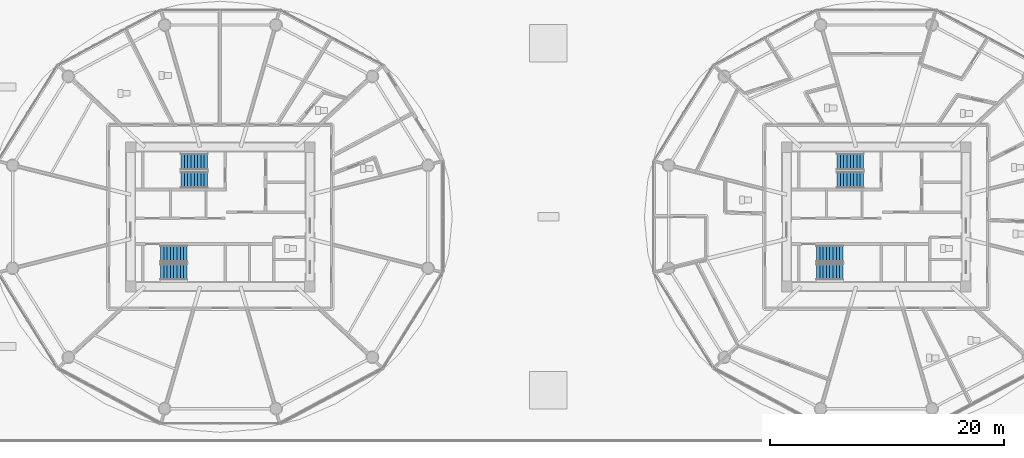
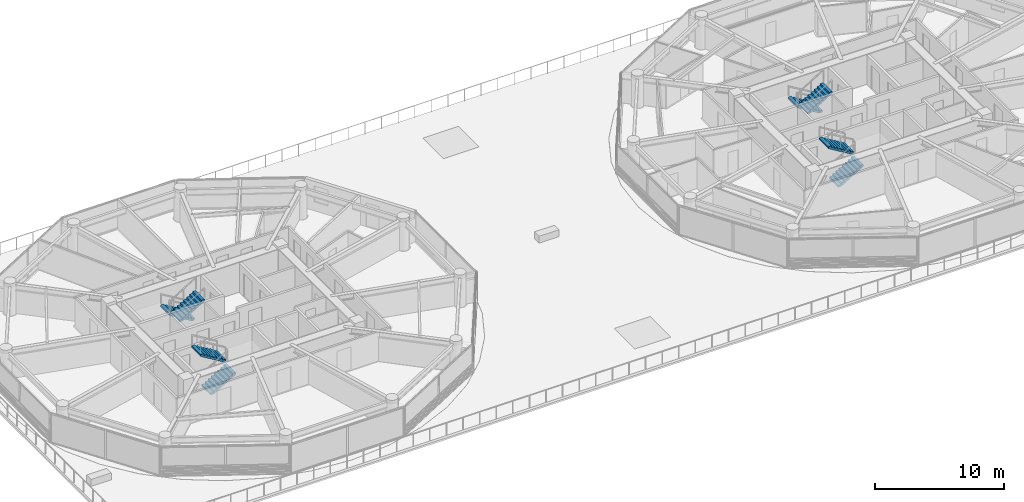
# One storey, part 21 of 32: 8 stair flights, 4 elements without a shape of their own.
"""IFC4 building model written with IfcOpenShell, lengths in metres."""

from ifc_helpers import new_model, si_unit, direction, frame, origin, place, context, subcontext, project, spatial, polyline, outline, extrude, material, type_object, element, aggregate, save


model = new_model("IFC4")

# Units and contexts
model_context = context("Model", 3, precision=1e-05, world=origin(), true_north=direction((0.0, 1.0)))
body_context = subcontext(model_context, "Body", "Model", "MODEL_VIEW")
ifc_project = project(units=[si_unit("LENGTHUNIT", "METRE"), si_unit("AREAUNIT", "SQUARE_METRE"), si_unit("VOLUMEUNIT", "CUBIC_METRE"), si_unit("PLANEANGLEUNIT", "RADIAN"), si_unit("MASSUNIT", "GRAM", prefix="KILO")], contexts=[model_context])

# Site, building, storey
site_placement = place(None, origin())
site = spatial("IfcSite", under=ifc_project, at=site_placement, CompositionType="ELEMENT")
building_placement = place(site_placement, origin())
building = spatial("IfcBuilding", under=site, at=building_placement, Name="Norrkilde Senior Care Towers", CompositionType="ELEMENT")
storey_placement = place(building_placement, frame((0.0, 0.0, 21.60009765625)))
storey = spatial("IfcBuildingStorey", under=building, at=storey_placement, Name="L05", CompositionType="ELEMENT", Elevation=21.60009765625)

# Stair, stair flights
ifc_material = material(Name="Concrete C45/55", Category="concrete")
stair_type = type_object("IfcStairType", Name="Core Protected Dogleg Stair Typical 3050", PredefinedType="HALF_TURN_STAIR", material=ifc_material)
stair_1_placement = place(storey_placement, origin())
stair_1 = element("IfcStair", 1, at=stair_1_placement, inside=storey, type_object=stair_type, Name="L05 Protected Core Stair W1", PredefinedType="HALF_TURN_STAIR")
stair_flight_type = type_object("IfcStairFlightType", Name="Core Protected Dogleg Stair Typical 3050 Flight", PredefinedType="STRAIGHT", material=ifc_material)
stair_flight_1_placement = place(storey_placement, frame((-29.10009765625, 4.699951171875, 0.0), z_axis=(0.0, 0.0, 1.0), x_axis=(-1.0, 0.0, 0.0)))
stair_flight_1 = element("IfcStairFlight", 2, at=stair_flight_1_placement, type_object=stair_flight_type, Name="ST-W1 flight 1", NumberOfRisers=9, NumberOfTreads=8, PredefinedType="STRAIGHT", RiserHeight=0.169444444, TreadLength=0.28, context=body_context, shape_type="SweptSolid", body=[
    extrude(outline(polyline([(0.0, 0.0), (0.0, 0.16943359375), (0.280029296875, 0.16943359375), (0.280029296875, 0.3388671875), (0.56005859375, 0.3388671875), (0.56005859375, 0.50830078125), (0.840087890625, 0.50830078125), (0.840087890625, 0.677734375), (1.1201171875, 0.677734375), (1.1201171875, 0.84716796875), (1.39990234375, 0.84716796875), (1.39990234375, 1.0166015625), (1.679931640625, 1.0166015625), (1.679931640625, 1.18603515625), (1.9599609375, 1.18603515625), (1.9599609375, 1.35546875), (2.239990234375, 1.35546875), (2.239990234375, 1.52490234375), (2.239990234375, 1.180419921875), (0.28955078125, 0.0), (0.0, 0.0)])), frame((0.0, 0.699951171875, 0.0), z_axis=(0.0, -1.0, 0.0), x_axis=(1.0, 0.0, 0.0)), (0.0, 0.0, 1.0), 1.39990234375),
])
stair_flight_2_placement = place(storey_placement, frame((-31.340087890625, 3.14990234375, 1.52490234375), z_axis=(0.0, 0.0, 1.0), x_axis=(1.0, 0.0, 0.0)))
stair_flight_2 = element("IfcStairFlight", 3, at=stair_flight_2_placement, type_object=stair_flight_type, Name="ST-W1 flight 2", NumberOfRisers=9, NumberOfTreads=8, PredefinedType="STRAIGHT", RiserHeight=0.169444444, TreadLength=0.28, context=body_context, shape_type="SweptSolid", body=[
    extrude(outline(polyline([(0.0, 0.0), (0.0, 0.16943359375), (0.280029296875, 0.16943359375), (0.280029296875, 0.3388671875), (0.56005859375, 0.3388671875), (0.56005859375, 0.50830078125), (0.840087890625, 0.50830078125), (0.840087890625, 0.677734375), (1.1201171875, 0.677734375), (1.1201171875, 0.84716796875), (1.39990234375, 0.84716796875), (1.39990234375, 1.0166015625), (1.679931640625, 1.0166015625), (1.679931640625, 1.18603515625), (1.9599609375, 1.18603515625), (1.9599609375, 1.35546875), (2.239990234375, 1.35546875), (2.239990234375, 1.52490234375), (2.239990234375, 1.180419921875), (0.28955078125, 0.0), (0.0, 0.0)])), frame((0.0, 0.699951171875, 0.0), z_axis=(0.0, -1.0, 0.0), x_axis=(1.0, 0.0, 0.0)), (0.0, 0.0, 1.0), 1.39990234375),
])
aggregate(stair_1, [stair_flight_1, stair_flight_2])

stair_2_placement = place(storey_placement, origin())
stair_2 = element("IfcStair", 4, at=stair_2_placement, inside=storey, type_object=stair_type, Name="L05 Protected Core Stair W2", PredefinedType="HALF_TURN_STAIR")
stair_flight_3_placement = place(storey_placement, frame((-33.10009765625, -4.699951171875, 0.0), z_axis=(0.0, 0.0, 1.0), x_axis=(1.0, 0.0, 0.0)))
stair_flight_3 = element("IfcStairFlight", 5, at=stair_flight_3_placement, type_object=stair_flight_type, Name="ST-W2 flight 1", NumberOfRisers=9, NumberOfTreads=8, PredefinedType="STRAIGHT", RiserHeight=0.169444444, TreadLength=0.28, context=body_context, shape_type="SweptSolid", body=[
    extrude(outline(polyline([(0.0, 0.0), (0.0, 0.16943359375), (0.280029296875, 0.16943359375), (0.280029296875, 0.3388671875), (0.56005859375, 0.3388671875), (0.56005859375, 0.50830078125), (0.840087890625, 0.50830078125), (0.840087890625, 0.677734375), (1.1201171875, 0.677734375), (1.1201171875, 0.84716796875), (1.39990234375, 0.84716796875), (1.39990234375, 1.0166015625), (1.679931640625, 1.0166015625), (1.679931640625, 1.18603515625), (1.9599609375, 1.18603515625), (1.9599609375, 1.35546875), (2.239990234375, 1.35546875), (2.239990234375, 1.52490234375), (2.239990234375, 1.180419921875), (0.28955078125, 0.0), (0.0, 0.0)])), frame((0.0, 0.699951171875, 0.0), z_axis=(0.0, -1.0, 0.0), x_axis=(1.0, 0.0, 0.0)), (0.0, 0.0, 1.0), 1.39990234375),
])
stair_flight_4_placement = place(storey_placement, frame((-30.860107421875, -3.14990234375, 1.52490234375), z_axis=(0.0, 0.0, 1.0), x_axis=(-1.0, 0.0, 0.0)))
stair_flight_4 = element("IfcStairFlight", 6, at=stair_flight_4_placement, type_object=stair_flight_type, Name="ST-W2 flight 2", NumberOfRisers=9, NumberOfTreads=8, PredefinedType="STRAIGHT", RiserHeight=0.169444444, TreadLength=0.28, context=body_context, shape_type="SweptSolid", body=[
    extrude(outline(polyline([(0.0, 0.0), (0.0, 0.16943359375), (0.280029296875, 0.16943359375), (0.280029296875, 0.3388671875), (0.56005859375, 0.3388671875), (0.56005859375, 0.50830078125), (0.840087890625, 0.50830078125), (0.840087890625, 0.677734375), (1.1201171875, 0.677734375), (1.1201171875, 0.84716796875), (1.39990234375, 0.84716796875), (1.39990234375, 1.0166015625), (1.679931640625, 1.0166015625), (1.679931640625, 1.18603515625), (1.9599609375, 1.18603515625), (1.9599609375, 1.35546875), (2.239990234375, 1.35546875), (2.239990234375, 1.52490234375), (2.239990234375, 1.180419921875), (0.28955078125, 0.0), (0.0, 0.0)])), frame((0.0, 0.699951171875, 0.0), z_axis=(0.0, -1.0, 0.0), x_axis=(1.0, 0.0, 0.0)), (0.0, 0.0, 1.0), 1.39990234375),
])
aggregate(stair_2, [stair_flight_3, stair_flight_4])

stair_3_placement = place(storey_placement, origin())
stair_3 = element("IfcStair", 7, at=stair_3_placement, inside=storey, type_object=stair_type, Name="L05 Protected Core Stair E1", PredefinedType="HALF_TURN_STAIR")
stair_flight_5_placement = place(storey_placement, frame((26.89990234375, 4.699951171875, 0.0), z_axis=(0.0, 0.0, 1.0), x_axis=(-1.0, 0.0, 0.0)))
stair_flight_5 = element("IfcStairFlight", 8, at=stair_flight_5_placement, type_object=stair_flight_type, Name="ST-E1 flight 1", NumberOfRisers=9, NumberOfTreads=8, PredefinedType="STRAIGHT", RiserHeight=0.169444444, TreadLength=0.28, context=body_context, shape_type="SweptSolid", body=[
    extrude(outline(polyline([(0.0, 0.0), (0.0, 0.16943359375), (0.280029296875, 0.16943359375), (0.280029296875, 0.3388671875), (0.56005859375, 0.3388671875), (0.56005859375, 0.50830078125), (0.840087890625, 0.50830078125), (0.840087890625, 0.677734375), (1.1201171875, 0.677734375), (1.1201171875, 0.84716796875), (1.39990234375, 0.84716796875), (1.39990234375, 1.0166015625), (1.679931640625, 1.0166015625), (1.679931640625, 1.18603515625), (1.9599609375, 1.18603515625), (1.9599609375, 1.35546875), (2.239990234375, 1.35546875), (2.239990234375, 1.52490234375), (2.239990234375, 1.180419921875), (0.28955078125, 0.0), (0.0, 0.0)])), frame((0.0, 0.699951171875, 0.0), z_axis=(0.0, -1.0, 0.0), x_axis=(1.0, 0.0, 0.0)), (0.0, 0.0, 1.0), 1.39990234375),
])
stair_flight_6_placement = place(storey_placement, frame((24.659912109375, 3.14990234375, 1.52490234375), z_axis=(0.0, 0.0, 1.0), x_axis=(1.0, 0.0, 0.0)))
stair_flight_6 = element("IfcStairFlight", 9, at=stair_flight_6_placement, type_object=stair_flight_type, Name="ST-E1 flight 2", NumberOfRisers=9, NumberOfTreads=8, PredefinedType="STRAIGHT", RiserHeight=0.169444444, TreadLength=0.28, context=body_context, shape_type="SweptSolid", body=[
    extrude(outline(polyline([(0.0, 0.0), (0.0, 0.16943359375), (0.280029296875, 0.16943359375), (0.280029296875, 0.3388671875), (0.56005859375, 0.3388671875), (0.56005859375, 0.50830078125), (0.840087890625, 0.50830078125), (0.840087890625, 0.677734375), (1.1201171875, 0.677734375), (1.1201171875, 0.84716796875), (1.39990234375, 0.84716796875), (1.39990234375, 1.0166015625), (1.679931640625, 1.0166015625), (1.679931640625, 1.18603515625), (1.9599609375, 1.18603515625), (1.9599609375, 1.35546875), (2.239990234375, 1.35546875), (2.239990234375, 1.52490234375), (2.239990234375, 1.180419921875), (0.28955078125, 0.0), (0.0, 0.0)])), frame((0.0, 0.699951171875, 0.0), z_axis=(0.0, -1.0, 0.0), x_axis=(1.0, 0.0, 0.0)), (0.0, 0.0, 1.0), 1.39990234375),
])
aggregate(stair_3, [stair_flight_5, stair_flight_6])

stair_4_placement = place(storey_placement, origin())
stair_4 = element("IfcStair", 10, at=stair_4_placement, inside=storey, type_object=stair_type, Name="L05 Protected Core Stair E2", PredefinedType="HALF_TURN_STAIR")
stair_flight_7_placement = place(storey_placement, frame((22.89990234375, -4.699951171875, 0.0), z_axis=(0.0, 0.0, 1.0), x_axis=(1.0, 0.0, 0.0)))
stair_flight_7 = element("IfcStairFlight", 11, at=stair_flight_7_placement, type_object=stair_flight_type, Name="ST-E2 flight 1", NumberOfRisers=9, NumberOfTreads=8, PredefinedType="STRAIGHT", RiserHeight=0.169444444, TreadLength=0.28, context=body_context, shape_type="SweptSolid", body=[
    extrude(outline(polyline([(0.0, 0.0), (0.0, 0.16943359375), (0.280029296875, 0.16943359375), (0.280029296875, 0.3388671875), (0.56005859375, 0.3388671875), (0.56005859375, 0.50830078125), (0.840087890625, 0.50830078125), (0.840087890625, 0.677734375), (1.1201171875, 0.677734375), (1.1201171875, 0.84716796875), (1.39990234375, 0.84716796875), (1.39990234375, 1.0166015625), (1.679931640625, 1.0166015625), (1.679931640625, 1.18603515625), (1.9599609375, 1.18603515625), (1.9599609375, 1.35546875), (2.239990234375, 1.35546875), (2.239990234375, 1.52490234375), (2.239990234375, 1.180419921875), (0.28955078125, 0.0), (0.0, 0.0)])), frame((0.0, 0.699951171875, 0.0), z_axis=(0.0, -1.0, 0.0), x_axis=(1.0, 0.0, 0.0)), (0.0, 0.0, 1.0), 1.39990234375),
])
stair_flight_8_placement = place(storey_placement, frame((25.139892578125, -3.14990234375, 1.52490234375), z_axis=(0.0, 0.0, 1.0), x_axis=(-1.0, 0.0, 0.0)))
stair_flight_8 = element("IfcStairFlight", 12, at=stair_flight_8_placement, type_object=stair_flight_type, Name="ST-E2 flight 2", NumberOfRisers=9, NumberOfTreads=8, PredefinedType="STRAIGHT", RiserHeight=0.169444444, TreadLength=0.28, context=body_context, shape_type="SweptSolid", body=[
    extrude(outline(polyline([(0.0, 0.0), (0.0, 0.16943359375), (0.280029296875, 0.16943359375), (0.280029296875, 0.3388671875), (0.56005859375, 0.3388671875), (0.56005859375, 0.50830078125), (0.840087890625, 0.50830078125), (0.840087890625, 0.677734375), (1.1201171875, 0.677734375), (1.1201171875, 0.84716796875), (1.39990234375, 0.84716796875), (1.39990234375, 1.0166015625), (1.679931640625, 1.0166015625), (1.679931640625, 1.18603515625), (1.9599609375, 1.18603515625), (1.9599609375, 1.35546875), (2.239990234375, 1.35546875), (2.239990234375, 1.52490234375), (2.239990234375, 1.180419921875), (0.28955078125, 0.0), (0.0, 0.0)])), frame((0.0, 0.699951171875, 0.0), z_axis=(0.0, -1.0, 0.0), x_axis=(1.0, 0.0, 0.0)), (0.0, 0.0, 1.0), 1.39990234375),
])
aggregate(stair_4, [stair_flight_7, stair_flight_8])

save(model, "model.ifc")
